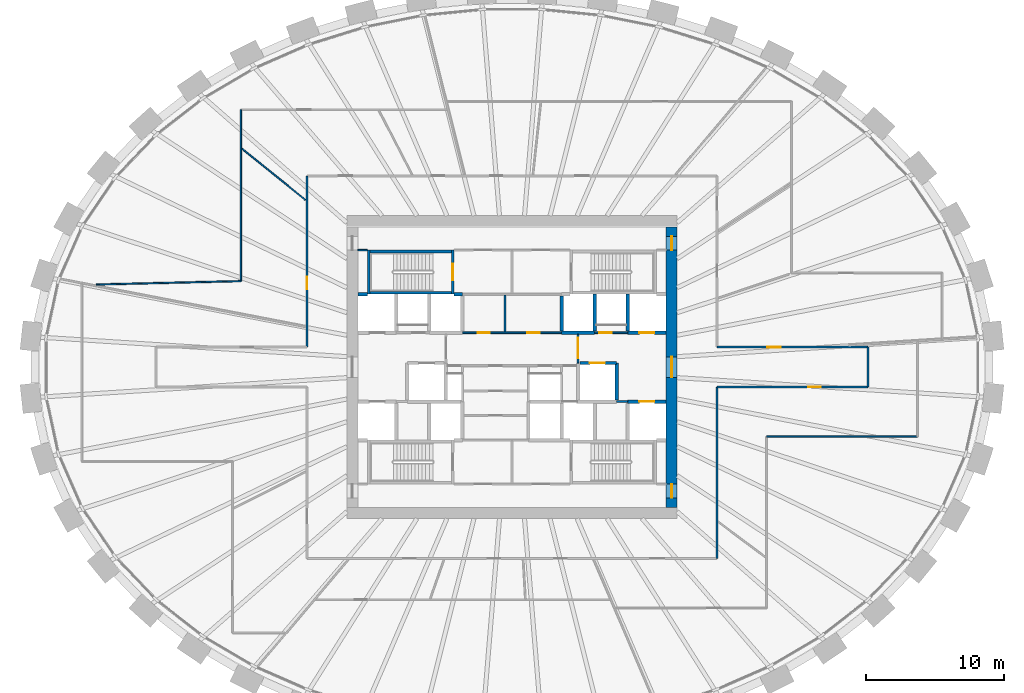
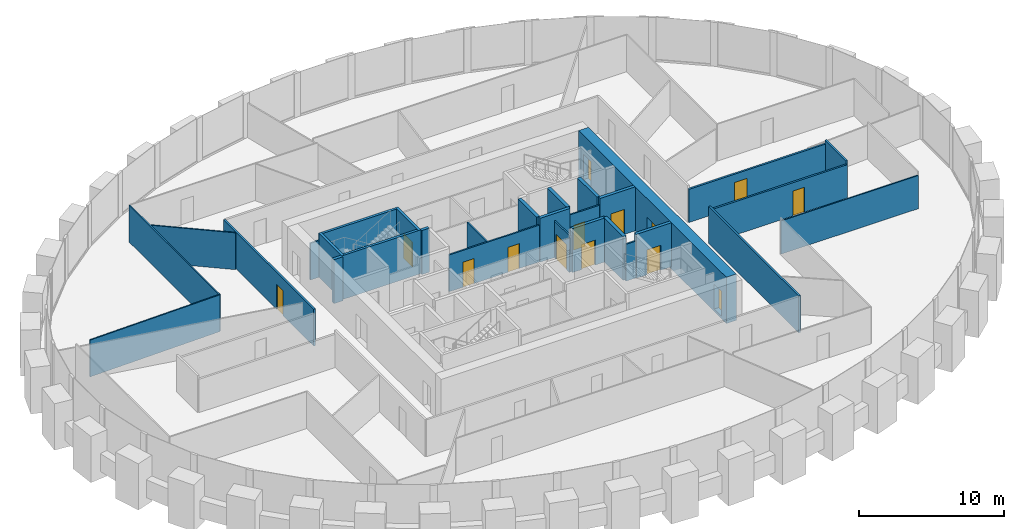
# One storey, part 8 of 11: 30 walls, 14 doors, 14 openings.
"""IFC4 building model written with IfcOpenShell, lengths in metres."""

from ifc_helpers import new_model, si_unit, direction, frame, frame_2d, origin, place, context, subcontext, project, spatial, rectangle, extrude, source, transform, mapped, material, layer, layer_set, type_object, element, fill, save


model = new_model("IFC4")

# Units and contexts
model_context = context("Model", 3, precision=1e-05, world=origin(), true_north=direction((0.0, 1.0)))
body_context = subcontext(model_context, "Body", "Model", "MODEL_VIEW")
ifc_project = project(units=[si_unit("LENGTHUNIT", "METRE"), si_unit("AREAUNIT", "SQUARE_METRE"), si_unit("VOLUMEUNIT", "CUBIC_METRE"), si_unit("PLANEANGLEUNIT", "RADIAN"), si_unit("MASSUNIT", "GRAM", prefix="KILO")], contexts=[model_context])

# Site, building, storey
site_placement = place(None, origin())
site = spatial("IfcSite", under=ifc_project, at=site_placement, CompositionType="ELEMENT")
building_placement = place(site_placement, origin())
building = spatial("IfcBuilding", under=site, at=building_placement, Name="Embergate Tower", CompositionType="ELEMENT")
storey_placement = place(building_placement, frame((0.0, 0.0, 226.800048828125)))
storey = spatial("IfcBuildingStorey", under=building, at=storey_placement, Name="L52", CompositionType="ELEMENT", Elevation=226.800048828125)

# Wall, openings, doors
ifc_material_1 = material(Name="Concrete C70", Category="concrete")
ifc_layer_1 = layer(ifc_material_1, 0.800048828125)
ifc_layer_set_1 = layer_set([ifc_layer_1], Name="Concrete C70")
wall_type_1 = type_object("IfcWallType", Name="Core outer wall C70 800", PredefinedType="SHEAR", material=ifc_layer_set_1)
shared_shape_1 = source(origin(), body_context, "Body", "SweptSolid", [
    extrude(rectangle(XDim=20.39990234375, YDim=0.800048828125, at=frame_2d((10.199951171875, 0.0))), origin(), (0.0, 0.0, 1.0), 3.89990234375),
])
wall_1_placement = place(storey_placement, frame((11.60009765625, -10.199951171875, -0.199951171875), z_axis=(0.0, 0.0, 1.0), x_axis=(0.0, 1.0, 0.0)))
wall_1 = element("IfcWall", 1, at=wall_1_placement, inside=storey, type_object=wall_type_1, Name="CW-L52-E", PredefinedType="SHEAR", context=body_context, shape_type="MappedRepresentation", body=[
    mapped(shared_shape_1, transform((0.0, 0.0, 0.0))),
])
shared_shape_2 = source(origin(), body_context, "Body", "SweptSolid", [
    extrude(rectangle(XDim=1.0, YDim=2.10009765625, at=frame_2d((0.5, 1.050048828125))), frame((0.0, 0.409912109375, 0.0), z_axis=(0.0, -1.0, 0.0), x_axis=(1.0, 0.0, 0.0)), (0.0, 0.0, 1.0), 0.820068359375),
])
opening_1_placement = place(wall_1_placement, frame((18.699951171875, 0.0, 0.199951171875)))
opening_1 = element("IfcOpeningElement", 2, at=opening_1_placement, cuts=wall_1, Name="Opening IF-1d", PredefinedType="OPENING", context=body_context, shape_type="MappedRepresentation", body=[
    mapped(shared_shape_2, transform((0.0, 0.0, 0.0))),
])
opening_2_placement = place(wall_1_placement, frame((0.699951171875, 0.0, 0.199951171875)))
opening_2 = element("IfcOpeningElement", 3, at=opening_2_placement, cuts=wall_1, Name="Opening IF-1d", PredefinedType="OPENING", context=body_context, shape_type="MappedRepresentation", body=[
    mapped(shared_shape_2, transform((0.0, 0.0, 0.0))),
])
shared_shape_3 = source(origin(), body_context, "Body", "SweptSolid", [
    extrude(rectangle(XDim=1.5, YDim=2.10009765625, at=frame_2d((0.75, 1.050048828125))), frame((0.0, 0.409912109375, 0.0), z_axis=(0.0, -1.0, 0.0), x_axis=(1.0, 0.0, 0.0)), (0.0, 0.0, 1.0), 0.820068359375),
])
opening_3_placement = place(wall_1_placement, frame((9.449951171875, 0.0, 0.199951171875)))
opening_3 = element("IfcOpeningElement", 4, at=opening_3_placement, cuts=wall_1, Name="Opening IF-3", PredefinedType="OPENING", context=body_context, shape_type="MappedRepresentation", body=[
    mapped(shared_shape_3, transform((0.0, 0.0, 0.0))),
])
ifc_material_2 = material(Name="Lobby fire door pair 1500")
door_type_1 = type_object("IfcDoorType", Name="Lobby fire door pair 1500", OperationType="DOUBLE_DOOR_SINGLE_SWING", PredefinedType="DOOR", material=ifc_material_2)
shared_shape_4 = source(origin(), body_context, "Body", "SweptSolid", [
    extrude(rectangle(XDim=1.5, YDim=2.10009765625, at=frame_2d((0.75, 1.050048828125))), frame((0.0, 0.02490234375, 0.0), z_axis=(0.0, -1.0, 0.0), x_axis=(1.0, 0.0, 0.0)), (0.0, 0.0, 1.0), 0.050048828125),
])
door_1_placement = place(opening_3_placement, origin())
door_1 = element("IfcDoor", 5, at=door_1_placement, inside=storey, type_object=door_type_1, Name="IF-3 door", OperationType="DOUBLE_DOOR_SINGLE_SWING", OverallHeight=2.10009765625, OverallWidth=1.5, PredefinedType="DOOR", context=body_context, shape_type="MappedRepresentation", body=[
    mapped(shared_shape_4, transform((0.0, 0.0, 0.0))),
])
fill(opening_3, door_1)
ifc_material_3 = material(Name="Escape fire door 1000")
door_type_2 = type_object("IfcDoorType", Name="Escape fire door 1000", OperationType="SINGLE_SWING_LEFT", PredefinedType="DOOR", material=ifc_material_3)
shared_shape_5 = source(origin(), body_context, "Body", "SweptSolid", [
    extrude(rectangle(XDim=1.0, YDim=2.10009765625, at=frame_2d((0.5, 1.050048828125))), frame((0.0, 0.02490234375, 0.0), z_axis=(0.0, -1.0, 0.0), x_axis=(1.0, 0.0, 0.0)), (0.0, 0.0, 1.0), 0.050048828125),
])
door_2_placement = place(opening_1_placement, origin())
door_2 = element("IfcDoor", 6, at=door_2_placement, inside=storey, type_object=door_type_2, Name="IF-1 door", OperationType="SINGLE_SWING_RIGHT", OverallHeight=2.10009765625, OverallWidth=1.0, PredefinedType="DOOR", context=body_context, shape_type="MappedRepresentation", body=[
    mapped(shared_shape_5, transform((0.0, 0.0, 0.0))),
])
fill(opening_1, door_2)
door_3_placement = place(opening_2_placement, origin())
door_3 = element("IfcDoor", 7, at=door_3_placement, inside=storey, type_object=door_type_2, Name="IF-1 door", OperationType="SINGLE_SWING_RIGHT", OverallHeight=2.10009765625, OverallWidth=1.0, PredefinedType="DOOR", context=body_context, shape_type="MappedRepresentation", body=[
    mapped(shared_shape_5, transform((0.0, 0.0, 0.0))),
])
fill(opening_2, door_3)

# Walls
ifc_material_4 = material(Name="Concrete C50", Category="concrete")
ifc_layer_2 = layer(ifc_material_4, 0.25)
ifc_layer_set_2 = layer_set([ifc_layer_2], Name="Concrete C50")
wall_type_2 = type_object("IfcWallType", Name="Hoistway wall reinforced concrete 250", PredefinedType="SHEAR", material=ifc_layer_set_2)
shared_shape_6 = source(origin(), body_context, "Body", "SweptSolid", [
    extrude(rectangle(XDim=2.675048828125, YDim=0.25, at=frame_2d((1.33740234375, 0.0))), origin(), (0.0, 0.0, 1.0), 3.699951171875),
])
for number, where, z_axis, x_axis, name in (
    (8, (6.0, 2.625, 0.0), (0.0, 0.0, 1.0), (0.0, 1.0, 0.0), "HW-1 wall"),
    (9, (8.39990234375, 2.625, 0.0), (0.0, 0.0, 1.0), (0.0, 1.0, 0.0), "HW-1 wall"),
):
    element("IfcWall", number, at=place(storey_placement, frame(where, z_axis=z_axis, x_axis=x_axis)), inside=storey, type_object=wall_type_2, Name=name, PredefinedType="SHEAR", context=body_context, shape_type="MappedRepresentation", body=[
        mapped(shared_shape_6, transform((0.0, 0.0, 0.0))),
    ])

# Wall, opening, door
wall_2_placement = place(storey_placement, frame((7.60009765625, 0.300048828125, 0.0), z_axis=(0.0, 0.0, 1.0), x_axis=(-1.0, 0.0, 0.0)))
wall_2 = element("IfcWall", 10, at=wall_2_placement, inside=storey, type_object=wall_type_2, Name="HW-1 wall", PredefinedType="SHEAR", context=body_context, shape_type="MappedRepresentation", body=[
    mapped(shared_shape_6, transform((0.0, 0.0, 0.0))),
])
shared_shape_7 = source(origin(), body_context, "Body", "SweptSolid", [
    extrude(rectangle(XDim=1.10009765625, YDim=2.10009765625, at=frame_2d((0.550048828125, 1.050048828125))), frame((0.0, 0.135009765625, 0.0), z_axis=(0.0, -1.0, 0.0), x_axis=(1.0, 0.0, 0.0)), (0.0, 0.0, 1.0), 0.27001953125),
])
opening_4_placement = place(wall_2_placement, frame((0.85009765625, 0.0, 0.0)))
opening_4 = element("IfcOpeningElement", 11, at=opening_4_placement, cuts=wall_2, Name="Opening LD", PredefinedType="OPENING", context=body_context, shape_type="MappedRepresentation", body=[
    mapped(shared_shape_7, transform((0.0, 0.0, 0.0))),
])
ifc_material_5 = material(Name="Landing door sliding 1100")
door_type_3 = type_object("IfcDoorType", Name="Landing door sliding 1100", OperationType="SLIDING_TO_LEFT", PredefinedType="DOOR", material=ifc_material_5)
shared_shape_8 = source(origin(), body_context, "Body", "SweptSolid", [
    extrude(rectangle(XDim=1.10009765625, YDim=2.10009765625, at=frame_2d((0.550048828125, 1.050048828125))), frame((0.0, 0.02490234375, 0.0), z_axis=(0.0, -1.0, 0.0), x_axis=(1.0, 0.0, 0.0)), (0.0, 0.0, 1.0), 0.050048828125),
])
door_4_placement = place(opening_4_placement, origin())
door_4 = element("IfcDoor", 12, at=door_4_placement, inside=storey, type_object=door_type_3, Name="LD door", OperationType="SLIDING_TO_LEFT", OverallHeight=2.10009765625, OverallWidth=1.10009765625, PredefinedType="DOOR", context=body_context, shape_type="MappedRepresentation", body=[
    mapped(shared_shape_8, transform((0.0, 0.0, 0.0))),
])
fill(opening_4, door_4)

# Walls
wall_3_placement = place(storey_placement, frame((7.60009765625, -2.375, 0.0), z_axis=(0.0, 0.0, 1.0), x_axis=(0.0, 1.0, 0.0)))
element("IfcWall", 13, at=wall_3_placement, inside=storey, type_object=wall_type_2, Name="HW-1 wall", PredefinedType="SHEAR", context=body_context, shape_type="MappedRepresentation", body=[
    mapped(shared_shape_6, transform((0.0, 0.0, 0.0))),
])
ifc_layer_3 = layer(ifc_material_4, 0.199951171875)
ifc_layer_set_3 = layer_set([ifc_layer_3], Name="Concrete C50")
wall_type_3 = type_object("IfcWallType", Name="Stair enclosure wall reinforced concrete 250", PredefinedType="SHEAR", material=ifc_layer_set_3)
shared_shape_9 = source(origin(), body_context, "Body", "SweptSolid", [
    extrude(rectangle(XDim=6.300048828125, YDim=0.199951171875, at=frame_2d((3.14990234375, 0.0))), origin(), (0.0, 0.0, 1.0), 3.699951171875),
])
for number, where, z_axis, x_axis, name in (
    (14, (-4.199951171875, 5.39990234375, 0.0), (0.0, 0.0, 1.0), (-1.0, 0.0, 0.0), "SE-1 wall"),
    (15, (-4.199951171875, 8.39990234375, 0.0), (0.0, 0.0, 1.0), (-1.0, 0.0, 0.0), "SE-1 wall"),
):
    element("IfcWall", number, at=place(storey_placement, frame(where, z_axis=z_axis, x_axis=x_axis)), inside=storey, type_object=wall_type_3, Name=name, PredefinedType="SHEAR", context=body_context, shape_type="MappedRepresentation", body=[
        mapped(shared_shape_9, transform((0.0, 0.0, 0.0))),
    ])
shared_shape_10 = source(origin(), body_context, "Body", "SweptSolid", [
    extrude(rectangle(XDim=2.550048828125, YDim=0.25, at=frame_2d((1.27490234375, 0.0))), origin(), (0.0, 0.0, 1.0), 3.699951171875),
])
wall_4_placement = place(storey_placement, frame((3.60009765625, 5.175048828125, 0.0), z_axis=(0.0, 0.0, 1.0), x_axis=(0.0, -1.0, 0.0)))
element("IfcWall", 16, at=wall_4_placement, inside=storey, type_object=wall_type_2, Name="HW-1 wall", PredefinedType="SHEAR", context=body_context, shape_type="MappedRepresentation", body=[
    mapped(shared_shape_10, transform((0.0, 0.0, 0.0))),
])

# Wall, opening, door
shared_shape_11 = source(origin(), body_context, "Body", "SweptSolid", [
    extrude(rectangle(XDim=3.199951171875, YDim=0.199951171875, at=frame_2d((1.60009765625, 0.0))), origin(), (0.0, 0.0, 1.0), 3.699951171875),
])
wall_5_placement = place(storey_placement, frame((-4.300048828125, 5.300048828125, 0.0), z_axis=(0.0, 0.0, 1.0), x_axis=(0.0, 1.0, 0.0)))
wall_5 = element("IfcWall", 17, at=wall_5_placement, inside=storey, type_object=wall_type_3, Name="SE-1 wall", PredefinedType="SHEAR", context=body_context, shape_type="MappedRepresentation", body=[
    mapped(shared_shape_11, transform((0.0, 0.0, 0.0))),
])
shared_shape_12 = source(origin(), body_context, "Body", "SweptSolid", [
    extrude(rectangle(XDim=1.199951171875, YDim=2.10009765625, at=frame_2d((0.60009765625, 1.050048828125))), frame((0.0, 0.10986328125, 0.0), z_axis=(0.0, -1.0, 0.0), x_axis=(1.0, 0.0, 0.0)), (0.0, 0.0, 1.0), 0.219970703125),
])
opening_5_placement = place(wall_5_placement, frame((1.0, 0.0, 0.0)))
opening_5 = element("IfcOpeningElement", 18, at=opening_5_placement, cuts=wall_5, Name="Opening IF-2", PredefinedType="OPENING", context=body_context, shape_type="MappedRepresentation", body=[
    mapped(shared_shape_12, transform((0.0, 0.0, 0.0))),
])
ifc_material_6 = material(Name="Stair enclosure door 1200")
door_type_4 = type_object("IfcDoorType", Name="Stair enclosure door 1200", OperationType="SINGLE_SWING_LEFT", PredefinedType="DOOR", material=ifc_material_6)
shared_shape_13 = source(origin(), body_context, "Body", "SweptSolid", [
    extrude(rectangle(XDim=1.199951171875, YDim=2.10009765625, at=frame_2d((0.60009765625, 1.050048828125))), frame((0.0, 0.02490234375, 0.0), z_axis=(0.0, -1.0, 0.0), x_axis=(1.0, 0.0, 0.0)), (0.0, 0.0, 1.0), 0.050048828125),
])
door_5_placement = place(opening_5_placement, origin())
door_5 = element("IfcDoor", 19, at=door_5_placement, inside=storey, type_object=door_type_4, Name="IF-2 door", OperationType="SINGLE_SWING_LEFT", OverallHeight=2.10009765625, OverallWidth=1.199951171875, PredefinedType="DOOR", context=body_context, shape_type="MappedRepresentation", body=[
    mapped(shared_shape_13, transform((0.0, 0.0, 0.0))),
])
fill(opening_5, door_5)

# Wall
shared_shape_14 = source(origin(), body_context, "Body", "SweptSolid", [
    extrude(rectangle(XDim=2.39990234375, YDim=0.25, at=frame_2d((1.199951171875, 0.0))), origin(), (0.0, 0.0, 1.0), 3.699951171875),
])
wall_6_placement = place(storey_placement, frame((3.60009765625, 2.5, 0.0), z_axis=(0.0, 0.0, 1.0), x_axis=(1.0, 0.0, 0.0)))
element("IfcWall", 20, at=wall_6_placement, inside=storey, type_object=wall_type_2, Name="HW-1 wall", PredefinedType="SHEAR", context=body_context, shape_type="MappedRepresentation", body=[
    mapped(shared_shape_14, transform((0.0, 0.0, 0.0))),
])

# Wall, opening, door
ifc_material_7 = material(Name="Core partition blockwork 120")
ifc_layer_4 = layer(ifc_material_7, 0.1201171875)
ifc_layer_set_4 = layer_set([ifc_layer_4], Name="Core partition blockwork 120")
wall_type_4 = type_object("IfcWallType", Name="Core partition blockwork 120", PredefinedType="PARTITIONING", material=ifc_layer_set_4)
shared_shape_15 = source(origin(), body_context, "Body", "SweptSolid", [
    extrude(rectangle(XDim=2.074951171875, YDim=0.1201171875, at=frame_2d((1.03759765625, 0.0))), origin(), (0.0, 0.0, 1.0), 3.099853515625),
])
wall_7_placement = place(storey_placement, frame((4.800048828125, 0.300048828125, 0.0), z_axis=(0.0, 0.0, 1.0), x_axis=(0.0, 1.0, 0.0)))
wall_7 = element("IfcWall", 21, at=wall_7_placement, inside=storey, type_object=wall_type_4, Name="IP-3 wall", PredefinedType="PARTITIONING", context=body_context, shape_type="MappedRepresentation", body=[
    mapped(shared_shape_15, transform((0.0, 0.0, 0.0))),
])
shared_shape_16 = source(origin(), body_context, "Body", "SweptSolid", [
    extrude(rectangle(XDim=1.5, YDim=2.10009765625, at=frame_2d((0.75, 1.050048828125))), frame((0.0, 0.070068359375, 0.0), z_axis=(0.0, -1.0, 0.0), x_axis=(1.0, 0.0, 0.0)), (0.0, 0.0, 1.0), 0.14013671875),
])
opening_6_placement = place(wall_7_placement, frame((0.35009765625, 0.0, 0.0)))
opening_6 = element("IfcOpeningElement", 22, at=opening_6_placement, cuts=wall_7, Name="Opening IF-3", PredefinedType="OPENING", context=body_context, shape_type="MappedRepresentation", body=[
    mapped(shared_shape_16, transform((0.0, 0.0, 0.0))),
])
door_6_placement = place(opening_6_placement, origin())
door_6 = element("IfcDoor", 23, at=door_6_placement, inside=storey, type_object=door_type_1, Name="IF-3 door", OperationType="DOUBLE_DOOR_SINGLE_SWING", OverallHeight=2.10009765625, OverallWidth=1.5, PredefinedType="DOOR", context=body_context, shape_type="MappedRepresentation", body=[
    mapped(shared_shape_4, transform((0.0, 0.0, 0.0))),
])
fill(opening_6, door_6)

# Walls
shared_shape_17 = source(origin(), body_context, "Body", "SweptSolid", [
    extrude(rectangle(XDim=2.679931640625, YDim=0.1201171875, at=frame_2d((1.33984375, 0.0))), origin(), (0.0, 0.0, 1.0), 3.099853515625),
])
wall_8_placement = place(storey_placement, frame((-0.50390625, 2.56005859375, 0.0), z_axis=(0.0, 0.0, 1.0), x_axis=(0.0, 1.0, 0.0)))
element("IfcWall", 24, at=wall_8_placement, inside=storey, type_object=wall_type_4, Name="IP-3 wall", PredefinedType="PARTITIONING", context=body_context, shape_type="MappedRepresentation", body=[
    mapped(shared_shape_17, transform((0.0, 0.0, 0.0))),
])
ifc_material_8 = material(Name="Partition dry-lined 100")
ifc_layer_5 = layer(ifc_material_8, 0.10009765625)
ifc_layer_set_5 = layer_set([ifc_layer_5], Name="Partition dry-lined 100")
wall_type_5 = type_object("IfcWallType", Name="Partition dry-lined 100", PredefinedType="PARTITIONING", material=ifc_layer_set_5)
shared_shape_18 = source(origin(), body_context, "Body", "SweptSolid", [
    extrude(rectangle(XDim=10.949951171875, YDim=0.10009765625, at=frame_2d((5.47509765625, 0.0))), origin(), (0.0, 0.0, 1.0), 2.800048828125),
])
wall_9_placement = place(storey_placement, frame((18.5, -5.050048828125, 0.0), z_axis=(0.0, 0.0, 1.0), x_axis=(1.0, 0.0, 0.0)))
element("IfcWall", 25, at=wall_9_placement, inside=storey, type_object=wall_type_5, Name="IP-1 wall", PredefinedType="PARTITIONING", context=body_context, shape_type="MappedRepresentation", body=[
    mapped(shared_shape_18, transform((0.0, 0.0, 0.0))),
])

# Wall, opening, door
shared_shape_19 = source(origin(), body_context, "Body", "SweptSolid", [
    extrude(rectangle(XDim=2.800048828125, YDim=0.25, at=frame_2d((1.39990234375, 0.0))), origin(), (0.0, 0.0, 1.0), 3.699951171875),
])
wall_10_placement = place(storey_placement, frame((8.39990234375, 2.5, 0.0), z_axis=(0.0, 0.0, 1.0), x_axis=(1.0, 0.0, 0.0)))
wall_10 = element("IfcWall", 26, at=wall_10_placement, inside=storey, type_object=wall_type_2, Name="HW-1 wall", PredefinedType="SHEAR", context=body_context, shape_type="MappedRepresentation", body=[
    mapped(shared_shape_19, transform((0.0, 0.0, 0.0))),
])
opening_7_placement = place(wall_10_placement, frame((0.85009765625, 0.0, 0.0)))
opening_7 = element("IfcOpeningElement", 27, at=opening_7_placement, cuts=wall_10, Name="Opening LD", PredefinedType="OPENING", context=body_context, shape_type="MappedRepresentation", body=[
    mapped(shared_shape_7, transform((0.0, 0.0, 0.0))),
])
door_7_placement = place(opening_7_placement, origin())
door_7 = element("IfcDoor", 28, at=door_7_placement, inside=storey, type_object=door_type_3, Name="LD door", OperationType="SLIDING_TO_LEFT", OverallHeight=2.10009765625, OverallWidth=1.10009765625, PredefinedType="DOOR", context=body_context, shape_type="MappedRepresentation", body=[
    mapped(shared_shape_8, transform((0.0, 0.0, 0.0))),
])
fill(opening_7, door_7)

wall_11_placement = place(storey_placement, frame((11.199951171875, -2.5, 0.0), z_axis=(0.0, 0.0, 1.0), x_axis=(-1.0, 0.0, 0.0)))
wall_11 = element("IfcWall", 29, at=wall_11_placement, inside=storey, type_object=wall_type_2, Name="HW-1 wall", PredefinedType="SHEAR", context=body_context, shape_type="MappedRepresentation", body=[
    mapped(shared_shape_19, transform((0.0, 0.0, 0.0))),
])
opening_8_placement = place(wall_11_placement, frame((0.85009765625, 0.0, 0.0)))
opening_8 = element("IfcOpeningElement", 30, at=opening_8_placement, cuts=wall_11, Name="Opening LD", PredefinedType="OPENING", context=body_context, shape_type="MappedRepresentation", body=[
    mapped(shared_shape_7, transform((0.0, 0.0, 0.0))),
])
door_8_placement = place(opening_8_placement, origin())
door_8 = element("IfcDoor", 31, at=door_8_placement, inside=storey, type_object=door_type_3, Name="LD door", OperationType="SLIDING_TO_RIGHT", OverallHeight=2.10009765625, OverallWidth=1.10009765625, PredefinedType="DOOR", context=body_context, shape_type="MappedRepresentation", body=[
    mapped(shared_shape_8, transform((0.0, 0.0, 0.0))),
])
fill(opening_8, door_8)

# Walls
shared_shape_20 = source(origin(), body_context, "Body", "SweptSolid", [
    extrude(rectangle(XDim=0.599853515625, YDim=0.25, at=frame_2d((0.2998046875, 0.0))), origin(), (0.0, 0.0, 1.0), 3.699951171875),
])
wall_12_placement = place(storey_placement, frame((-3.60009765625, 5.300048828125, 0.0), z_axis=(0.0, 0.0, 1.0), x_axis=(-1.0, 0.0, 0.0)))
element("IfcWall", 32, at=wall_12_placement, inside=storey, type_object=wall_type_2, Name="HW-1 wall", PredefinedType="SHEAR", context=body_context, shape_type="MappedRepresentation", body=[
    mapped(shared_shape_20, transform((0.0, 0.0, 0.0))),
])
shared_shape_21 = source(origin(), body_context, "Body", "SweptSolid", [
    extrude(rectangle(XDim=3.196044921875, YDim=0.199951171875, at=frame_2d((1.59814453125, 0.0))), origin(), (0.0, 0.0, 1.0), 3.699951171875),
])
wall_13_placement = place(storey_placement, frame((-10.39990234375, 8.498046875, 0.0), z_axis=(0.0, 0.0, 1.0), x_axis=(0.0, -1.0, 0.0)))
element("IfcWall", 33, at=wall_13_placement, inside=storey, type_object=wall_type_3, Name="SE-1 wall", PredefinedType="SHEAR", context=body_context, shape_type="MappedRepresentation", body=[
    mapped(shared_shape_21, transform((0.0, 0.0, 0.0))),
])
shared_shape_22 = source(origin(), body_context, "Body", "SweptSolid", [
    extrude(rectangle(XDim=0.697998046875, YDim=0.25, at=frame_2d((0.34912109375, 0.0))), origin(), (0.0, 0.0, 1.0), 3.699951171875),
])
wall_14_placement = place(storey_placement, frame((-10.501953125, 5.300048828125, 0.0), z_axis=(0.0, 0.0, 1.0), x_axis=(-1.0, 0.0, 0.0)))
element("IfcWall", 34, at=wall_14_placement, inside=storey, type_object=wall_type_2, Name="HW-1 wall", PredefinedType="SHEAR", context=body_context, shape_type="MappedRepresentation", body=[
    mapped(shared_shape_22, transform((0.0, 0.0, 0.0))),
])

# Wall, opening, door
ifc_material_9 = material(Name="Corridor wall dry-lined 150")
ifc_layer_6 = layer(ifc_material_9, 0.14990234375)
ifc_layer_set_6 = layer_set([ifc_layer_6], Name="Corridor wall dry-lined 150")
wall_type_6 = type_object("IfcWallType", Name="Corridor wall dry-lined 150", PredefinedType="PARTITIONING", material=ifc_layer_set_6)
shared_shape_23 = source(origin(), body_context, "Body", "SweptSolid", [
    extrude(rectangle(XDim=10.9501953125, YDim=0.14990234375, at=frame_2d((5.47509765625, 0.0))), origin(), (0.0, 0.0, 1.0), 2.800048828125),
])
wall_15_placement = place(storey_placement, frame((14.89990234375, -1.449951171875, 0.0), z_axis=(0.0, 0.0, 1.0), x_axis=(1.0, 0.0, 0.0)))
wall_15 = element("IfcWall", 35, at=wall_15_placement, inside=storey, type_object=wall_type_6, Name="IP-2 wall", PredefinedType="PARTITIONING", context=body_context, shape_type="MappedRepresentation", body=[
    mapped(shared_shape_23, transform((0.0, 0.0, 0.0))),
])
shared_shape_24 = source(origin(), body_context, "Body", "SweptSolid", [
    extrude(rectangle(XDim=0.89990234375, YDim=2.10009765625, at=frame_2d((0.449951171875, 1.050048828125))), frame((0.0, 0.0849609375, 0.0), z_axis=(0.0, -1.0, 0.0), x_axis=(1.0, 0.0, 0.0)), (0.0, 0.0, 1.0), 0.169921875),
])
opening_9_placement = place(wall_15_placement, frame((6.632080078125, 0.0, 0.0)))
opening_9 = element("IfcOpeningElement", 36, at=opening_9_placement, cuts=wall_15, Name="Opening IF-1c", PredefinedType="OPENING", context=body_context, shape_type="MappedRepresentation", body=[
    mapped(shared_shape_24, transform((0.0, 0.0, 0.0))),
])
ifc_material_10 = material(Name="Escape fire door 900")
door_type_5 = type_object("IfcDoorType", Name="Escape fire door 900", OperationType="SINGLE_SWING_LEFT", PredefinedType="DOOR", material=ifc_material_10)
shared_shape_25 = source(origin(), body_context, "Body", "SweptSolid", [
    extrude(rectangle(XDim=0.89990234375, YDim=2.10009765625, at=frame_2d((0.449951171875, 1.050048828125))), frame((0.0, 0.02490234375, 0.0), z_axis=(0.0, -1.0, 0.0), x_axis=(1.0, 0.0, 0.0)), (0.0, 0.0, 1.0), 0.050048828125),
])
door_9_placement = place(opening_9_placement, origin())
door_9 = element("IfcDoor", 37, at=door_9_placement, inside=storey, type_object=door_type_5, Name="IF-1 door", OperationType="SINGLE_SWING_RIGHT", OverallHeight=2.10009765625, OverallWidth=0.89990234375, PredefinedType="DOOR", context=body_context, shape_type="MappedRepresentation", body=[
    mapped(shared_shape_25, transform((0.0, 0.0, 0.0))),
])
fill(opening_9, door_9)

wall_16_placement = place(storey_placement, frame((25.85009765625, 1.449951171875, 0.0), z_axis=(0.0, 0.0, 1.0), x_axis=(-1.0, 0.0, 0.0)))
wall_16 = element("IfcWall", 38, at=wall_16_placement, inside=storey, type_object=wall_type_6, Name="IP-2 wall", PredefinedType="PARTITIONING", context=body_context, shape_type="MappedRepresentation", body=[
    mapped(shared_shape_23, transform((0.0, 0.0, 0.0))),
])
shared_shape_26 = source(origin(), body_context, "Body", "SweptSolid", [
    extrude(rectangle(XDim=1.0, YDim=2.10009765625, at=frame_2d((0.5, 1.050048828125))), frame((0.0, 0.0849609375, 0.0), z_axis=(0.0, -1.0, 0.0), x_axis=(1.0, 0.0, 0.0)), (0.0, 0.0, 1.0), 0.169921875),
])
opening_10_placement = place(wall_16_placement, frame((6.30810546875, 0.0, 0.0)))
opening_10 = element("IfcOpeningElement", 39, at=opening_10_placement, cuts=wall_16, Name="Opening ID-2", PredefinedType="OPENING", context=body_context, shape_type="MappedRepresentation", body=[
    mapped(shared_shape_26, transform((0.0, 0.0, 0.0))),
])
ifc_material_11 = material(Name="Interior door 1000")
door_type_6 = type_object("IfcDoorType", Name="Interior door 1000", OperationType="SINGLE_SWING_LEFT", PredefinedType="DOOR", material=ifc_material_11)
door_10_placement = place(opening_10_placement, origin())
door_10 = element("IfcDoor", 40, at=door_10_placement, inside=storey, type_object=door_type_6, Name="ID-2 door", OperationType="SINGLE_SWING_LEFT", OverallHeight=2.10009765625, OverallWidth=1.0, PredefinedType="DOOR", context=body_context, shape_type="MappedRepresentation", body=[
    mapped(shared_shape_5, transform((0.0, 0.0, 0.0))),
])
fill(opening_10, door_10)

shared_shape_27 = source(origin(), body_context, "Body", "SweptSolid", [
    extrude(rectangle(XDim=2.39990234375, YDim=0.1201171875, at=frame_2d((1.199951171875, 0.0))), origin(), (0.0, 0.0, 1.0), 3.099853515625),
])
wall_17_placement = place(storey_placement, frame((6.0, 2.5, 0.0), z_axis=(0.0, 0.0, 1.0), x_axis=(1.0, 0.0, 0.0)))
wall_17 = element("IfcWall", 41, at=wall_17_placement, inside=storey, type_object=wall_type_4, Name="IP-3 wall", PredefinedType="PARTITIONING", context=body_context, shape_type="MappedRepresentation", body=[
    mapped(shared_shape_27, transform((0.0, 0.0, 0.0))),
])
shared_shape_28 = source(origin(), body_context, "Body", "SweptSolid", [
    extrude(rectangle(XDim=0.89990234375, YDim=2.10009765625, at=frame_2d((0.449951171875, 1.050048828125))), frame((0.0, 0.070068359375, 0.0), z_axis=(0.0, -1.0, 0.0), x_axis=(1.0, 0.0, 0.0)), (0.0, 0.0, 1.0), 0.14013671875),
])
opening_11_placement = place(wall_17_placement, frame((0.35009765625, 0.0, 0.0)))
opening_11 = element("IfcOpeningElement", 42, at=opening_11_placement, cuts=wall_17, Name="Opening ID-1", PredefinedType="OPENING", context=body_context, shape_type="MappedRepresentation", body=[
    mapped(shared_shape_28, transform((0.0, 0.0, 0.0))),
])
ifc_material_12 = material(Name="Interior door 900")
door_type_7 = type_object("IfcDoorType", Name="Interior door 900", OperationType="SINGLE_SWING_LEFT", PredefinedType="DOOR", material=ifc_material_12)
door_11_placement = place(opening_11_placement, origin())
door_11 = element("IfcDoor", 43, at=door_11_placement, inside=storey, type_object=door_type_7, Name="ID-1 door", OperationType="SINGLE_SWING_LEFT", OverallHeight=2.10009765625, OverallWidth=0.89990234375, PredefinedType="DOOR", context=body_context, shape_type="MappedRepresentation", body=[
    mapped(shared_shape_25, transform((0.0, 0.0, 0.0))),
])
fill(opening_11, door_11)

# Wall, openings, doors
shared_shape_29 = source(origin(), body_context, "Body", "SweptSolid", [
    extrude(rectangle(XDim=7.2001953125, YDim=0.1201171875, at=frame_2d((3.60009765625, 0.0))), origin(), (0.0, 0.0, 1.0), 3.099853515625),
])
wall_18_placement = place(storey_placement, frame((3.60009765625, 2.5, 0.0), z_axis=(0.0, 0.0, 1.0), x_axis=(-1.0, 0.0, 0.0)))
wall_18 = element("IfcWall", 44, at=wall_18_placement, inside=storey, type_object=wall_type_4, Name="IP-3 wall", PredefinedType="PARTITIONING", context=body_context, shape_type="MappedRepresentation", body=[
    mapped(shared_shape_29, transform((0.0, 0.0, 0.0))),
])
opening_12_placement = place(wall_18_placement, frame((5.201904296875, 0.0, 0.0)))
opening_12 = element("IfcOpeningElement", 45, at=opening_12_placement, cuts=wall_18, Name="Opening ID-1", PredefinedType="OPENING", context=body_context, shape_type="MappedRepresentation", body=[
    mapped(shared_shape_28, transform((0.0, 0.0, 0.0))),
])
opening_13_placement = place(wall_18_placement, frame((1.60205078125, 0.0, 0.0)))
opening_13 = element("IfcOpeningElement", 46, at=opening_13_placement, cuts=wall_18, Name="Opening ID-1", PredefinedType="OPENING", context=body_context, shape_type="MappedRepresentation", body=[
    mapped(shared_shape_28, transform((0.0, 0.0, 0.0))),
])
door_12_placement = place(opening_12_placement, origin())
door_12 = element("IfcDoor", 47, at=door_12_placement, inside=storey, type_object=door_type_7, Name="ID-1 door", OperationType="SINGLE_SWING_LEFT", OverallHeight=2.10009765625, OverallWidth=0.89990234375, PredefinedType="DOOR", context=body_context, shape_type="MappedRepresentation", body=[
    mapped(shared_shape_25, transform((0.0, 0.0, 0.0))),
])
fill(opening_12, door_12)
door_13_placement = place(opening_13_placement, origin())
door_13 = element("IfcDoor", 48, at=door_13_placement, inside=storey, type_object=door_type_7, Name="ID-1 door", OperationType="SINGLE_SWING_RIGHT", OverallHeight=2.10009765625, OverallWidth=0.89990234375, PredefinedType="DOOR", context=body_context, shape_type="MappedRepresentation", body=[
    mapped(shared_shape_25, transform((0.0, 0.0, 0.0))),
])
fill(opening_13, door_13)

# Walls
shared_shape_30 = source(origin(), body_context, "Body", "SweptSolid", [
    extrude(rectangle(XDim=0.7958984375, YDim=0.1201171875, at=frame_2d((0.39794921875, 0.0))), origin(), (0.0, 0.0, 1.0), 3.099853515625),
])
wall_19_placement = place(storey_placement, frame((7.60205078125, -2.5, 0.0), z_axis=(0.0, 0.0, 1.0), x_axis=(1.0, 0.0, 0.0)))
element("IfcWall", 49, at=wall_19_placement, inside=storey, type_object=wall_type_4, Name="IP-3 wall", PredefinedType="PARTITIONING", context=body_context, shape_type="MappedRepresentation", body=[
    mapped(shared_shape_30, transform((0.0, 0.0, 0.0))),
])
shared_shape_31 = source(origin(), body_context, "Body", "SweptSolid", [
    extrude(rectangle(XDim=0.697998046875, YDim=0.1201171875, at=frame_2d((0.34912109375, 0.0))), origin(), (0.0, 0.0, 1.0), 3.099853515625),
])
wall_20_placement = place(storey_placement, frame((-11.199951171875, 8.5, 0.0), z_axis=(0.0, 0.0, 1.0), x_axis=(1.0, 0.0, 0.0)))
element("IfcWall", 50, at=wall_20_placement, inside=storey, type_object=wall_type_4, Name="IP-3 wall", PredefinedType="PARTITIONING", context=body_context, shape_type="MappedRepresentation", body=[
    mapped(shared_shape_31, transform((0.0, 0.0, 0.0))),
])
shared_shape_32 = source(origin(), body_context, "Body", "SweptSolid", [
    extrude(rectangle(XDim=12.449951171875, YDim=0.14990234375, at=frame_2d((6.22509765625, 0.0))), origin(), (0.0, 0.0, 1.0), 3.099853515625),
])
wall_21_placement = place(storey_placement, frame((14.89990234375, -1.449951171875, 0.0), z_axis=(0.0, 0.0, 1.0), x_axis=(0.0, -1.0, 0.0)))
element("IfcWall", 51, at=wall_21_placement, inside=storey, type_object=wall_type_6, Name="IP-2 wall", PredefinedType="PARTITIONING", context=body_context, shape_type="MappedRepresentation", body=[
    mapped(shared_shape_32, transform((0.0, 0.0, 0.0))),
])

# Wall, opening, door
wall_22_placement = place(storey_placement, frame((-14.89990234375, 1.449951171875, 0.0), z_axis=(0.0, 0.0, 1.0), x_axis=(0.0, 1.0, 0.0)))
wall_22 = element("IfcWall", 52, at=wall_22_placement, inside=storey, type_object=wall_type_6, Name="IP-2 wall", PredefinedType="PARTITIONING", context=body_context, shape_type="MappedRepresentation", body=[
    mapped(shared_shape_32, transform((0.0, 0.0, 0.0))),
])
opening_14_placement = place(wall_22_placement, frame((4.2099609375, 0.0, 0.0)))
opening_14 = element("IfcOpeningElement", 53, at=opening_14_placement, cuts=wall_22, Name="Opening IF-1c", PredefinedType="OPENING", context=body_context, shape_type="MappedRepresentation", body=[
    mapped(shared_shape_24, transform((0.0, 0.0, 0.0))),
])
door_14_placement = place(opening_14_placement, origin())
door_14 = element("IfcDoor", 54, at=door_14_placement, inside=storey, type_object=door_type_5, Name="IF-1 door", OperationType="SINGLE_SWING_RIGHT", OverallHeight=2.10009765625, OverallWidth=0.89990234375, PredefinedType="DOOR", context=body_context, shape_type="MappedRepresentation", body=[
    mapped(shared_shape_25, transform((0.0, 0.0, 0.0))),
])
fill(opening_14, door_14)

# Walls
shared_shape_33 = source(origin(), body_context, "Body", "SweptSolid", [
    extrude(rectangle(XDim=2.89990234375, YDim=0.14990234375, at=frame_2d((1.449951171875, 0.0))), origin(), (0.0, 0.0, 1.0), 3.099853515625),
])
wall_23_placement = place(storey_placement, frame((25.85009765625, -1.449951171875, 0.0), z_axis=(0.0, 0.0, 1.0), x_axis=(0.0, 1.0, 0.0)))
element("IfcWall", 55, at=wall_23_placement, inside=storey, type_object=wall_type_6, Name="IP-2 wall", PredefinedType="PARTITIONING", context=body_context, shape_type="MappedRepresentation", body=[
    mapped(shared_shape_33, transform((0.0, 0.0, 0.0))),
])
shared_shape_34 = source(origin(), body_context, "Body", "SweptSolid", [
    extrude(rectangle(XDim=12.449951171875, YDim=0.10009765625, at=frame_2d((6.22509765625, 0.0))), origin(), (0.0, 0.0, 1.0), 3.099853515625),
])
wall_24_placement = place(storey_placement, frame((-19.699951171875, 6.25, 0.0), z_axis=(0.0, 0.0, 1.0), x_axis=(0.0, 1.0, 0.0)))
element("IfcWall", 56, at=wall_24_placement, inside=storey, type_object=wall_type_5, Name="IP-1 wall", PredefinedType="PARTITIONING", context=body_context, shape_type="MappedRepresentation", body=[
    mapped(shared_shape_34, transform((0.0, 0.0, 0.0))),
])
shared_shape_35 = source(origin(), body_context, "Body", "SweptSolid", [
    extrude(rectangle(XDim=5.933349609375, YDim=0.10009765625, at=frame_2d((2.966796875, 0.0))), origin(), (0.0, 0.0, 1.0), 3.099853515625),
])
wall_25_placement = place(storey_placement, frame((-15.007080078125, 12.14599609375, 0.0), z_axis=(0.0, 0.0, 1.0), x_axis=(-0.777283198785, 0.629150879271, 0.0)))
element("IfcWall", 57, at=wall_25_placement, inside=storey, type_object=wall_type_5, Name="IP-1 wall", PredefinedType="PARTITIONING", context=body_context, shape_type="MappedRepresentation", body=[
    mapped(shared_shape_35, transform((0.0, 0.0, 0.0))),
])
shared_shape_36 = source(origin(), body_context, "Body", "SweptSolid", [
    extrude(rectangle(XDim=10.492919921875, YDim=0.10009765625, at=frame_2d((5.24658203125, 0.0))), origin(), (0.0, 0.0, 1.0), 3.099853515625),
])
wall_26_placement = place(storey_placement, frame((-30.18994140625, 6.0029296875, 0.0), z_axis=(0.0, 0.0, 1.0), x_axis=(0.999722744404, 0.023546429058, 0.0)))
element("IfcWall", 58, at=wall_26_placement, inside=storey, type_object=wall_type_5, Name="IP-1 wall", PredefinedType="PARTITIONING", context=body_context, shape_type="MappedRepresentation", body=[
    mapped(shared_shape_36, transform((0.0, 0.0, 0.0))),
])

save(model, "model.ifc")
